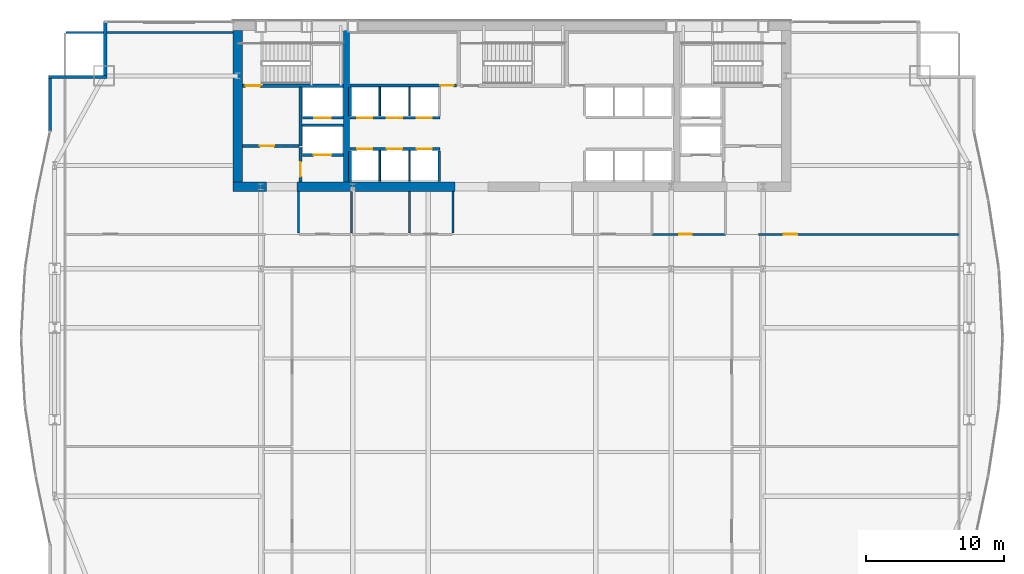
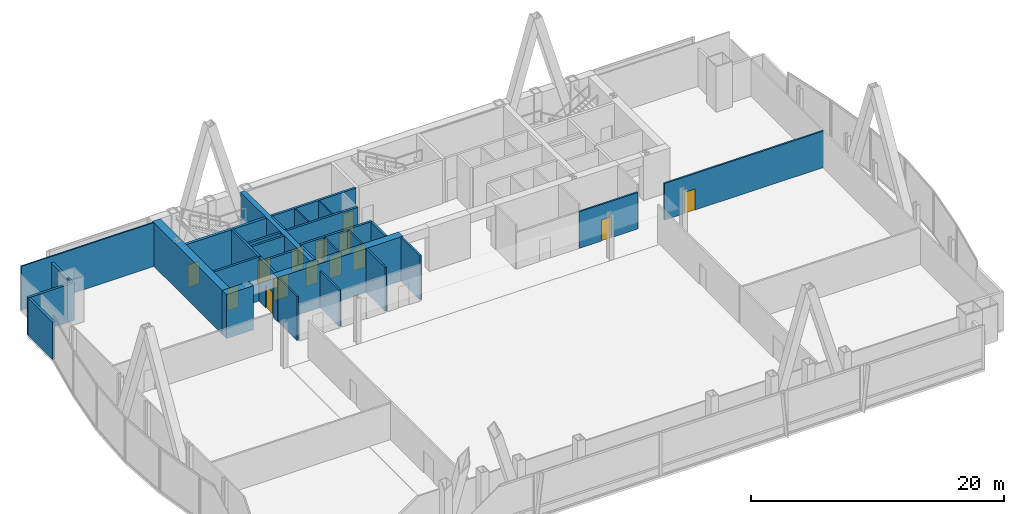
# One storey, part 28 of 32: 31 walls, 14 doors, 14 openings.
"""IFC4 building model written with IfcOpenShell, lengths in metres."""

import ifcopenshell
import ifcopenshell.guid

model = None  # the IFC model being written
_history = None  # IfcOwnerHistory: only IFC2X3 demands one
_inside = {}  # id of a spatial element -> (the spatial element, [elements in it])
_under = {}  # id of a project, library or spatial element -> (it, [spatial elements below it])
_declared = {}  # id of a project -> (the project, [libraries it declares])
_typed = {}  # id of a type object -> (the type object, [elements of that type])
_made_of = {}  # id of a material, layer set ... -> (it, [elements and type objects made of it])


def new_model(schema):
    """Start an empty IFC model of exactly this schema.

    Asked for "IFC4X3", IfcOpenShell would pick the latest addendum, in which some entities
    have other attributes; the version numbers below select the first issue.
    IFC2X3 requires an IfcOwnerHistory on every rooted entity: one is made here for all.
    """
    global model, _history
    if schema == "IFC4X3":
        model = ifcopenshell.file(schema_version=(4, 3, 0, 0))
    else:
        model = ifcopenshell.file(schema=schema)
    _inside.clear()
    _under.clear()
    _declared.clear()
    _typed.clear()
    _made_of.clear()
    _history = None
    if model.schema == "IFC2X3":
        org = make("IfcOrganization", Name="unknown")
        user = make(
            "IfcPersonAndOrganization",
            ThePerson=make("IfcPerson", FamilyName="unknown"),
            TheOrganization=org,
        )
        app = make(
            "IfcApplication",
            ApplicationDeveloper=org,
            Version="unknown",
            ApplicationFullName="unknown",
            ApplicationIdentifier="unknown",
        )
        _history = make(
            "IfcOwnerHistory",
            OwningUser=user,
            OwningApplication=app,
            ChangeAction="ADDED",
            CreationDate=0,
        )
    return model


def make(cls, **values):
    """One entity of the class cls with the attributes given. An attribute that is None is left unset."""
    return model.create_entity(
        cls, **{name: value for name, value in values.items() if value is not None}
    )


def rooted(cls, **values):
    """An entity with a GlobalId (a new one), such as an element, a storey or a relation."""
    return make(cls, GlobalId=ifcopenshell.guid.new(), OwnerHistory=_history, **values)


def si_unit(unit_type, name, prefix=None):
    """IfcSIUnit, for example si_unit("LENGTHUNIT", "METRE", prefix="MILLI")."""
    return make("IfcSIUnit", UnitType=unit_type, Prefix=prefix, Name=name)


def assignment(units):
    """IfcUnitAssignment: the units of a project."""
    return None if units is None else make("IfcUnitAssignment", Units=units)


def point(xyz):
    """IfcCartesianPoint."""
    return None if xyz is None else make("IfcCartesianPoint", Coordinates=xyz)


def direction(xyz):
    """IfcDirection."""
    return None if xyz is None else make("IfcDirection", DirectionRatios=xyz)


def frame(location, z_axis=None, x_axis=None):
    """IfcAxis2Placement3D, a coordinate frame: its origin and axes. An axis left out is left unset."""
    return make(
        "IfcAxis2Placement3D",
        Location=point(location),
        Axis=direction(z_axis),
        RefDirection=direction(x_axis),
    )


def frame_2d(location, x_axis=None):
    """IfcAxis2Placement2D, a coordinate frame in the plane: its origin and x axis."""
    return make(
        "IfcAxis2Placement2D", Location=point(location), RefDirection=direction(x_axis)
    )


def origin():
    """The frame at (0, 0, 0) with its axes left unset."""
    return frame((0.0, 0.0, 0.0))


def place(relative_to, where):
    """IfcLocalPlacement: puts the frame where relative to a parent placement (None: the world)."""
    return make(
        "IfcLocalPlacement", PlacementRelTo=relative_to, RelativePlacement=where
    )


def context(
    kind, dimensions, precision=None, world=None, true_north=None, identifier=None
):
    """IfcGeometricRepresentationContext, for example the 3D "Model" context."""
    return make(
        "IfcGeometricRepresentationContext",
        ContextIdentifier=identifier,
        ContextType=kind,
        CoordinateSpaceDimension=dimensions,
        Precision=precision,
        WorldCoordinateSystem=world,
        TrueNorth=true_north,
    )


def subcontext(parent, identifier, kind, view, scale=None):
    """IfcGeometricRepresentationSubContext, for example "Body" below "Model"."""
    return make(
        "IfcGeometricRepresentationSubContext",
        ContextIdentifier=identifier,
        ContextType=kind,
        ParentContext=parent,
        TargetScale=scale,
        TargetView=view,
    )


def project(units=None, contexts=None):
    """IfcProject with its units and contexts."""
    return rooted(
        "IfcProject",
        Name="project",
        RepresentationContexts=contexts,
        UnitsInContext=assignment(units),
    )


def spatial(cls, under=None, at=None, **own):
    """A site, building, storey or space (cls), placed at a placement, below another one or the project."""
    s = rooted(cls, ObjectPlacement=at, **own)
    if under is not None:
        _under.setdefault(under.id(), (under, []))[1].append(s)
    return s


def profile(cls, at=None, kind="AREA", **sizes):
    """A parametric profile (cls). Its sizes go by their IFC names, for example OverallWidth=200.0."""
    return make(cls, ProfileType=kind, Position=at, **sizes)


def rectangle(**sizes):
    """IfcRectangleProfileDef."""
    return profile("IfcRectangleProfileDef", **sizes)


def extrude(swept, where, along, depth):
    """IfcExtrudedAreaSolid: the profile swept, set in the frame where, extruded along a direction by depth."""
    return make(
        "IfcExtrudedAreaSolid",
        SweptArea=swept,
        Position=where,
        ExtrudedDirection=direction(along),
        Depth=depth,
    )


def shape(context_of_items, identifier, shape_type, items):
    """IfcShapeRepresentation: the items that make up one representation, for example the "Body"."""
    return make(
        "IfcShapeRepresentation",
        ContextOfItems=context_of_items,
        RepresentationIdentifier=identifier,
        RepresentationType=shape_type,
        Items=items,
    )


def material(Name=None, Category=None):
    """IfcMaterial."""
    return make("IfcMaterial", Name=Name, Category=Category)


def layer(
    of_material, thickness, ventilated=None, Name=None, Category=None, Priority=None
):
    """IfcMaterialLayer: one layer of a wall or slab, of a material (None: an air gap)."""
    return make(
        "IfcMaterialLayer",
        Material=of_material,
        LayerThickness=thickness,
        IsVentilated=ventilated,
        Name=Name,
        Category=Category,
        Priority=Priority,
    )


def layer_set(layers, Name=None):
    """IfcMaterialLayerSet."""
    return make("IfcMaterialLayerSet", MaterialLayers=layers, LayerSetName=Name)


def made_of(thing, what):
    """Note that an element or type object is made of a material, layer set ...; save() writes the relation."""
    if what is not None:
        _made_of.setdefault(what.id(), (what, []))[1].append(thing)
    return thing


def type_object(cls, material=None, **own):
    """A type object (cls), such as IfcWallType, which elements share."""
    return made_of(rooted(cls, **own), material)


def element(
    cls,
    number,
    at=None,
    inside=None,
    cuts=None,
    type_object=None,
    material=None,
    context=None,
    identifier="Body",
    shape_type=None,
    held_by="IfcProductDefinitionShape",
    body=None,
    shapes=None,
    **own,
):
    """One element of the class cls, such as IfcWall. Its Tag is "e" and its number.

    at: its placement. inside: the storey or other place that contains it. cuts: it is an
    opening in that element (IfcRelVoidsElement). A single representation is given by context,
    identifier, shape_type and body (its items); several are given by shapes. held_by: the class
    of the entity that holds the representations. save() writes the other relations.
    """
    e = rooted(cls, Tag="e%d" % number, ObjectPlacement=at, **own)
    if body is not None:
        shapes = [shape(context, identifier, shape_type, body)]
    if shapes is not None:
        e.Representation = make(held_by, Representations=shapes)
    if inside is not None:
        _inside.setdefault(inside.id(), (inside, []))[1].append(e)
    if cuts is not None:
        rooted(
            "IfcRelVoidsElement", RelatingBuildingElement=cuts, RelatedOpeningElement=e
        )
    if type_object is not None:
        _typed.setdefault(type_object.id(), (type_object, []))[1].append(e)
    return made_of(e, material)


def fill(opening, filler):
    """IfcRelFillsElement: the door or window that sits in an opening."""
    return rooted(
        "IfcRelFillsElement",
        RelatingOpeningElement=opening,
        RelatedBuildingElement=filler,
    )


def aggregate(whole, parts):
    """IfcRelAggregates: a whole, such as a stair, and the parts it consists of."""
    return rooted("IfcRelAggregates", RelatingObject=whole, RelatedObjects=parts)


def save(model, path):
    """Write the relations noted so far, then the file.

    IfcRelAggregates (storeys below a building ...), IfcRelContainedInSpatialStructure (elements
    in a storey), IfcRelDefinesByType, IfcRelAssociatesMaterial and IfcRelDeclares: one each for
    every whole, place, type object, material and project.
    """
    for whole, parts in _under.values():
        aggregate(whole, parts)
    for where, things in _inside.values():
        rooted(
            "IfcRelContainedInSpatialStructure",
            RelatedElements=things,
            RelatingStructure=where,
        )
    for kind, things in _typed.values():
        rooted("IfcRelDefinesByType", RelatedObjects=things, RelatingType=kind)
    for what, things in _made_of.values():
        rooted("IfcRelAssociatesMaterial", RelatedObjects=things, RelatingMaterial=what)
    for by, libraries in _declared.values():
        rooted("IfcRelDeclares", RelatingContext=by, RelatedDefinitions=libraries)
    model.write(path)


model = new_model("IFC4")

# Units and contexts
model_context = context("Model", 3, precision=1e-05, world=origin(), true_north=direction((0.0, 1.0)))
body_context = subcontext(model_context, "Body", "Model", "MODEL_VIEW")
ifc_project = project(units=[si_unit("LENGTHUNIT", "METRE"), si_unit("AREAUNIT", "SQUARE_METRE"), si_unit("VOLUMEUNIT", "CUBIC_METRE"), si_unit("PLANEANGLEUNIT", "RADIAN"), si_unit("MASSUNIT", "GRAM", prefix="KILO")], contexts=[model_context])

# Site, building, storey
site_placement = place(None, origin())
site = spatial("IfcSite", under=ifc_project, at=site_placement, CompositionType="ELEMENT")
building_placement = place(site_placement, origin())
building = spatial("IfcBuilding", under=site, at=building_placement, Name="Khoronbel Lancet Exchange", CompositionType="ELEMENT")
storey_placement = place(building_placement, frame((0.0, 0.0, 106.60009765625)))
storey = spatial("IfcBuildingStorey", under=building, at=storey_placement, Name="L25", CompositionType="ELEMENT", Elevation=106.60009765625)

# Walls
ifc_material_1 = material(Name="Concrete C80/95", Category="concrete")
ifc_layer_1 = layer(ifc_material_1, 0.699951171875, Name="Concrete C80/95")
ifc_layer_set_1 = layer_set([ifc_layer_1], Name="Concrete C80/95")
wall_type_1 = type_object("IfcWallType", Name="WL-CW2", PredefinedType="SHEAR", material=ifc_layer_set_1)
wall_1_placement = place(storey_placement, frame((16.550048828125, 42.0, 0.0), z_axis=(0.0, 0.0, 1.0), x_axis=(0.0, 1.0, 0.0)))
element("IfcWall", 1, at=wall_1_placement, inside=storey, type_object=wall_type_1, Name="Level L25 rear core west shear wall", PredefinedType="SHEAR", context=body_context, shape_type="SweptSolid", body=[
    extrude(rectangle(XDim=11.0, YDim=0.699951171875, at=frame_2d((5.5, 0.0))), origin(), (0.0, 0.0, 1.0), 4.239990234375),
])
wall_2_placement = place(storey_placement, frame((18.64990234375, 41.64990234375, 0.0), z_axis=(0.0, 0.0, 1.0), x_axis=(-1.0, 0.0, 0.0)))
element("IfcWall", 2, at=wall_2_placement, inside=storey, type_object=wall_type_1, Name="Level L25 rear core south shear wall pier P1", PredefinedType="SHEAR", context=body_context, shape_type="SweptSolid", body=[
    extrude(rectangle(XDim=2.449951171875, YDim=0.699951171875, at=frame_2d((1.22509765625, 0.0))), origin(), (0.0, 0.0, 1.0), 4.239990234375),
])
wall_3_placement = place(storey_placement, frame((32.300048828125, 41.64990234375, 0.0), z_axis=(0.0, 0.0, 1.0), x_axis=(-1.0, 0.0, 0.0)))
element("IfcWall", 3, at=wall_3_placement, inside=storey, type_object=wall_type_1, Name="Level L25 rear core south shear wall pier P2", PredefinedType="SHEAR", context=body_context, shape_type="SweptSolid", body=[
    extrude(rectangle(XDim=11.449951171875, YDim=0.699951171875, at=frame_2d((5.72509765625, 0.0))), origin(), (0.0, 0.0, 1.0), 4.239990234375),
])
ifc_material_2 = material(Name="Precast concrete C40/50", Category="concrete")
ifc_layer_2 = layer(ifc_material_2, 0.25, Name="Precast concrete C40/50")
ifc_layer_set_2 = layer_set([ifc_layer_2], Name="Precast concrete C40/50")
wall_type_2 = type_object("IfcWallType", Name="WL-EXT250", PredefinedType="SOLIDWALL", material=ifc_layer_set_2)
wall_4_placement = place(storey_placement, frame((2.93994140625, 45.670654296875, 0.0), z_axis=(0.0, 0.0, 1.0), x_axis=(0.0, 1.0, 0.0)))
element("IfcWall", 4, at=wall_4_placement, inside=storey, type_object=wall_type_2, Name="Level L25 notched-corner limestone pier 10", PredefinedType="SOLIDWALL", context=body_context, shape_type="SweptSolid", body=[
    extrude(rectangle(XDim=3.829345703125, YDim=0.219970703125, at=frame_2d((1.91455078125, 0.0))), origin(), (0.0, 0.0, 1.0), 3.6298828125),
])
wall_5_placement = place(storey_placement, frame((2.830078125, 49.610107421875, 0.0), z_axis=(0.0, 0.0, 1.0), x_axis=(1.0, 0.0, 0.0)))
element("IfcWall", 5, at=wall_5_placement, inside=storey, type_object=wall_type_2, Name="Level L25 notched-corner limestone pier 11", PredefinedType="SOLIDWALL", context=body_context, shape_type="SweptSolid", body=[
    extrude(rectangle(XDim=4.219970703125, YDim=0.219970703125, at=frame_2d((2.10986328125, 0.0))), origin(), (0.0, 0.0, 1.0), 3.6298828125),
])
wall_6_placement = place(storey_placement, frame((6.93994140625, 49.719970703125, 0.0), z_axis=(0.0, 0.0, 1.0), x_axis=(0.0, 1.0, 0.0)))
element("IfcWall", 6, at=wall_6_placement, inside=storey, type_object=wall_type_2, Name="Level L25 notched-corner limestone pier 12", PredefinedType="SOLIDWALL", context=body_context, shape_type="SweptSolid", body=[
    extrude(rectangle(XDim=3.909912109375, YDim=0.219970703125, at=frame_2d((1.955078125, 0.0))), origin(), (0.0, 0.0, 1.0), 3.6298828125),
])
ifc_material_3 = material(Name="Acoustic Metal-Stud & Mineral-Wool Gypsum Partition 120 mm", Category="gypsum")
ifc_layer_3 = layer(ifc_material_3, 0.1201171875, Name="Acoustic Metal-Stud & Mineral-Wool Gypsum Partition 120 mm")
ifc_layer_set_3 = layer_set([ifc_layer_3], Name="Acoustic Metal-Stud & Mineral-Wool Gypsum Partition 120 mm")
wall_type_3 = type_object("IfcWallType", Name="WL-PRT120", PredefinedType="PARTITIONING", material=ifc_layer_set_3)
wall_7_placement = place(storey_placement, frame((20.949951171875, 38.280029296875, 0.0), z_axis=(0.0, 0.0, 1.0), x_axis=(0.0, 1.0, 0.0)))
element("IfcWall", 7, at=wall_7_placement, inside=storey, type_object=wall_type_3, Name="Level L25 interior partition PW-SL-WC0", PredefinedType="PARTITIONING", context=body_context, shape_type="SweptSolid", body=[
    extrude(rectangle(XDim=3.02001953125, YDim=0.14990234375, at=frame_2d((1.510009765625, 0.0))), origin(), (0.0, 0.0, 1.0), 4.239990234375),
])
wall_8_placement = place(storey_placement, frame((24.800048828125, 38.280029296875, 0.0), z_axis=(0.0, 0.0, 1.0), x_axis=(0.0, 1.0, 0.0)))
element("IfcWall", 8, at=wall_8_placement, inside=storey, type_object=wall_type_3, Name="Level L25 interior partition PW-SL-WC1", PredefinedType="PARTITIONING", context=body_context, shape_type="SweptSolid", body=[
    extrude(rectangle(XDim=3.02001953125, YDim=0.14990234375, at=frame_2d((1.510009765625, 0.0))), origin(), (0.0, 0.0, 1.0), 3.52978515625),
])
for number, where, z_axis, x_axis, name in (
    (9, (29.0, 38.280029296875, 0.0), (0.0, 0.0, 1.0), (0.0, 1.0, 0.0), "Level L25 interior partition PW-SL-WC2"),
    (10, (32.179931640625, 38.280029296875, 0.0), (0.0, 0.0, 1.0), (0.0, 1.0, 0.0), "Level L25 interior partition PW-SL-WC3"),
):
    element("IfcWall", number, at=place(storey_placement, frame(where, z_axis=z_axis, x_axis=x_axis)), inside=storey, type_object=wall_type_3, Name=name, PredefinedType="PARTITIONING", context=body_context, shape_type="SweptSolid", body=[
        extrude(rectangle(XDim=3.02001953125, YDim=0.14990234375, at=frame_2d((1.510009765625, 0.0))), origin(), (0.0, 0.0, 1.0), 4.239990234375),
    ])
wall_9_placement = place(storey_placement, frame((4.094970703125, 52.840087890625, 0.0), z_axis=(0.0, 0.0, 1.0), x_axis=(1.0, 0.0, 0.0)))
element("IfcWall", 11, at=wall_9_placement, inside=storey, type_object=wall_type_3, Name="Level L25 interior partition PW-LIN-NW", PredefinedType="PARTITIONING", context=body_context, shape_type="SweptSolid", body=[
    extrude(rectangle(XDim=12.10498046875, YDim=0.1201171875, at=frame_2d((6.052490234375, 0.0))), origin(), (0.0, 0.0, 1.0), 4.239990234375),
])
ifc_material_4 = material(Name="Fire-Rated Metal-Stud & Mineral-Wool Gypsum Partition 120 mm", Category="gypsum")
ifc_layer_4 = layer(ifc_material_4, 0.1201171875, Name="Fire-Rated Metal-Stud & Mineral-Wool Gypsum Partition 120 mm")
ifc_layer_set_4 = layer_set([ifc_layer_4], Name="Fire-Rated Metal-Stud & Mineral-Wool Gypsum Partition 120 mm")
wall_type_4 = type_object("IfcWallType", Name="WL-PRT120F", PredefinedType="PARTITIONING", material=ifc_layer_set_4)
for number, where, z_axis, x_axis, name in (
    (12, (26.860107421875, 46.800048828125, 0.0), (0.0, 0.0, 1.0), (0.0, 1.0, 0.0), "Level L25 interior partition CW-PL-D1"),
    (13, (29.02001953125, 46.800048828125, 0.0), (0.0, 0.0, 1.0), (0.0, 1.0, 0.0), "Level L25 interior partition CW-PL-D2"),
):
    element("IfcWall", number, at=place(storey_placement, frame(where, z_axis=z_axis, x_axis=x_axis)), inside=storey, type_object=wall_type_4, Name=name, PredefinedType="PARTITIONING", context=body_context, shape_type="SweptSolid", body=[
        extrude(rectangle(XDim=2.094970703125, YDim=0.1201171875, at=frame_2d((1.04736328125, 0.0))), origin(), (0.0, 0.0, 1.0), 4.239990234375),
    ])
for number, where, z_axis, x_axis, name in (
    (14, (26.860107421875, 42.050048828125, 0.0), (0.0, 0.0, 1.0), (0.0, 1.0, 0.0), "Level L25 interior partition CW-PM-D1"),
    (15, (29.02001953125, 42.050048828125, 0.0), (0.0, 0.0, 1.0), (0.0, 1.0, 0.0), "Level L25 interior partition CW-PM-D2"),
):
    element("IfcWall", number, at=place(storey_placement, frame(where, z_axis=z_axis, x_axis=x_axis)), inside=storey, type_object=wall_type_4, Name=name, PredefinedType="PARTITIONING", context=body_context, shape_type="SweptSolid", body=[
        extrude(rectangle(XDim=2.199951171875, YDim=0.1201171875, at=frame_2d((1.10009765625, 0.0))), origin(), (0.0, 0.0, 1.0), 4.239990234375),
    ])

# Wall, opening, door
ifc_material_5 = material(Name="Fire-Rated Twin-Stud Acoustic Gypsum Partition 150 mm", Category="gypsum")
ifc_layer_5 = layer(ifc_material_5, 0.14990234375, Name="Fire-Rated Twin-Stud Acoustic Gypsum Partition 150 mm")
ifc_layer_set_5 = layer_set([ifc_layer_5], Name="Fire-Rated Twin-Stud Acoustic Gypsum Partition 150 mm")
wall_type_5 = type_object("IfcWallType", Name="WL-PRT150C", PredefinedType="PARTITIONING", material=ifc_layer_set_5)
wall_10_placement = place(storey_placement, frame((46.60009765625, 38.199951171875, 0.0), z_axis=(0.0, 0.0, 1.0), x_axis=(1.0, 0.0, 0.0)))
wall_10 = element("IfcWall", 16, at=wall_10_placement, inside=storey, type_object=wall_type_5, Name="Level L25 interior partition PW-SL-NPS2", PredefinedType="PARTITIONING", context=body_context, shape_type="SweptSolid", body=[
    extrude(rectangle(XDim=5.349853515625, YDim=0.14990234375, at=frame_2d((2.6748046875, 0.0))), origin(), (0.0, 0.0, 1.0), 3.52978515625),
])
opening_1_placement = place(wall_10_placement, frame((2.0, 0.0, 0.0)))
opening_1 = element("IfcOpeningElement", 17, at=opening_1_placement, cuts=wall_10, Name="Opening FD4", PredefinedType="OPENING", context=body_context, shape_type="SweptSolid", body=[
    extrude(rectangle(XDim=0.89990234375, YDim=2.050048828125, at=frame_2d((0.449951171875, 1.02490234375))), frame((0.0, 0.0849609375, 0.0), z_axis=(0.0, -1.0, 0.0), x_axis=(1.0, 0.0, 0.0)), (0.0, 0.0, 1.0), 0.169921875),
])
ifc_material_6 = material(Name="Fire-Rated Steel Core Support Door Assembly", Category="steel")
door_type_1 = type_object("IfcDoorType", Name="DR-FD4", OperationType="NOTDEFINED", PredefinedType="DOOR", material=ifc_material_6)
door_1_placement = place(opening_1_placement, origin())
door_1 = element("IfcDoor", 18, at=door_1_placement, inside=storey, type_object=door_type_1, Name="Sky-lobby catering kitchen door L25-1", OperationType="SINGLE_SWING_RIGHT", OverallHeight=2.050048828125, OverallWidth=0.89990234375, PredefinedType="DOOR", context=body_context, shape_type="SweptSolid", body=[
    extrude(rectangle(XDim=0.89990234375, YDim=2.050048828125, at=frame_2d((0.449951171875, 1.02490234375))), frame((0.0, 0.02490234375, 0.0), z_axis=(0.0, -1.0, 0.0), x_axis=(1.0, 0.0, 0.0)), (0.0, 0.0, 1.0), 0.050048828125),
])
fill(opening_1, door_1)

wall_11_placement = place(storey_placement, frame((54.35009765625, 38.199951171875, 0.0), z_axis=(0.0, 0.0, 1.0), x_axis=(1.0, 0.0, 0.0)))
wall_11 = element("IfcWall", 19, at=wall_11_placement, inside=storey, type_object=wall_type_5, Name="Level L25 interior partition PW-SL-N4", PredefinedType="PARTITIONING", context=body_context, shape_type="SweptSolid", body=[
    extrude(rectangle(XDim=14.52001953125, YDim=0.14990234375, at=frame_2d((7.260009765625, 0.0))), origin(), (0.0, 0.0, 1.0), 3.52978515625),
])
opening_2_placement = place(wall_11_placement, frame((1.800048828125, 0.0, 0.0)))
opening_2 = element("IfcOpeningElement", 20, at=opening_2_placement, cuts=wall_11, Name="Opening D2", PredefinedType="OPENING", context=body_context, shape_type="SweptSolid", body=[
    extrude(rectangle(XDim=1.0, YDim=2.050048828125, at=frame_2d((0.5, 1.02490234375))), frame((0.0, 0.0849609375, 0.0), z_axis=(0.0, -1.0, 0.0), x_axis=(1.0, 0.0, 0.0)), (0.0, 0.0, 1.0), 0.169921875),
])
ifc_material_7 = material(Name="Acoustic Veneered Timber & Bronze Frame Door", Category="wood")
door_type_2 = type_object("IfcDoorType", Name="DR-D2", OperationType="NOTDEFINED", PredefinedType="DOOR", material=ifc_material_7)
door_2_placement = place(opening_2_placement, origin())
door_2 = element("IfcDoor", 21, at=door_2_placement, inside=storey, type_object=door_type_2, Name="NE VIP reception door L25-1", OperationType="SINGLE_SWING_RIGHT", OverallHeight=2.050048828125, OverallWidth=1.0, PredefinedType="DOOR", context=body_context, shape_type="SweptSolid", body=[
    extrude(rectangle(XDim=1.0, YDim=2.050048828125, at=frame_2d((0.5, 1.02490234375))), frame((0.0, 0.02490234375, 0.0), z_axis=(0.0, -1.0, 0.0), x_axis=(1.0, 0.0, 0.0)), (0.0, 0.0, 1.0), 0.050048828125),
])
fill(opening_2, door_2)

# Wall, openings, doors
ifc_material_8 = material(Name="Autoclaved Aerated Concrete Blockwork 200 mm", Category="masonry")
ifc_layer_6 = layer(ifc_material_8, 0.199951171875, Name="Autoclaved Aerated Concrete Blockwork 200 mm")
ifc_layer_set_6 = layer_set([ifc_layer_6], Name="Autoclaved Aerated Concrete Blockwork 200 mm")
wall_type_6 = type_object("IfcWallType", Name="WL-PRT200", PredefinedType="PARTITIONING", material=ifc_layer_set_6)
wall_12_placement = place(storey_placement, frame((24.68994140625, 44.39990234375, 0.0), z_axis=(0.0, 0.0, 1.0), x_axis=(1.0, 0.0, 0.0)))
wall_12 = element("IfcWall", 22, at=wall_12_placement, inside=storey, type_object=wall_type_6, Name="Level L25 elevator hoistway landing front wall PMW", PredefinedType="PARTITIONING", context=body_context, shape_type="SweptSolid", body=[
    extrude(rectangle(XDim=6.530029296875, YDim=0.199951171875, at=frame_2d((3.26513671875, 0.0))), origin(), (0.0, 0.0, 1.0), 4.239990234375),
])
opening_3_placement = place(wall_12_placement, frame((0.530029296875, 0.0, 0.0)))
opening_3 = element("IfcOpeningElement", 23, at=opening_3_placement, cuts=wall_12, Name="Opening LD-PM1", PredefinedType="OPENING", context=body_context, shape_type="SweptSolid", body=[
    extrude(rectangle(XDim=1.10009765625, YDim=2.179931640625, at=frame_2d((0.550048828125, 1.08984375))), frame((0.0, 0.10986328125, 0.0), z_axis=(0.0, -1.0, 0.0), x_axis=(1.0, 0.0, 0.0)), (0.0, 0.0, 1.0), 0.219970703125),
])
opening_4_placement = place(wall_12_placement, frame((2.68994140625, 0.0, 0.0)))
opening_4 = element("IfcOpeningElement", 24, at=opening_4_placement, cuts=wall_12, Name="Opening LD-PM2", PredefinedType="OPENING", context=body_context, shape_type="SweptSolid", body=[
    extrude(rectangle(XDim=1.10009765625, YDim=2.179931640625, at=frame_2d((0.550048828125, 1.08984375))), frame((0.0, 0.10986328125, 0.0), z_axis=(0.0, -1.0, 0.0), x_axis=(1.0, 0.0, 0.0)), (0.0, 0.0, 1.0), 0.219970703125),
])
opening_5_placement = place(wall_12_placement, frame((4.85009765625, 0.0, 0.0)))
opening_5 = element("IfcOpeningElement", 25, at=opening_5_placement, cuts=wall_12, Name="Opening LD-PM3", PredefinedType="OPENING", context=body_context, shape_type="SweptSolid", body=[
    extrude(rectangle(XDim=1.10009765625, YDim=2.179931640625, at=frame_2d((0.550048828125, 1.08984375))), frame((0.0, 0.10986328125, 0.0), z_axis=(0.0, -1.0, 0.0), x_axis=(1.0, 0.0, 0.0)), (0.0, 0.0, 1.0), 0.219970703125),
])
ifc_material_9 = material(Name="Brushed Bronze Bi-Parting Elevator Landing Door", Category="steel")
door_type_3 = type_object("IfcDoorType", Name="DR-LD-PAX", OperationType="NOTDEFINED", PredefinedType="DOOR", material=ifc_material_9)
door_3_placement = place(opening_3_placement, origin())
door_3 = element("IfcDoor", 26, at=door_3_placement, inside=storey, type_object=door_type_3, Name="Elevator landing sliding door LD-PM1 L25", OperationType="SLIDING_TO_LEFT", OverallHeight=2.179931640625, OverallWidth=1.10009765625, PredefinedType="DOOR", context=body_context, shape_type="SweptSolid", body=[
    extrude(rectangle(XDim=1.10009765625, YDim=2.179931640625, at=frame_2d((0.550048828125, 1.08984375))), frame((0.0, 0.02490234375, 0.0), z_axis=(0.0, -1.0, 0.0), x_axis=(1.0, 0.0, 0.0)), (0.0, 0.0, 1.0), 0.050048828125),
])
fill(opening_3, door_3)
door_4_placement = place(opening_4_placement, origin())
door_4 = element("IfcDoor", 27, at=door_4_placement, inside=storey, type_object=door_type_3, Name="Elevator landing sliding door LD-PM2 L25", OperationType="SLIDING_TO_LEFT", OverallHeight=2.179931640625, OverallWidth=1.10009765625, PredefinedType="DOOR", context=body_context, shape_type="SweptSolid", body=[
    extrude(rectangle(XDim=1.10009765625, YDim=2.179931640625, at=frame_2d((0.550048828125, 1.08984375))), frame((0.0, 0.02490234375, 0.0), z_axis=(0.0, -1.0, 0.0), x_axis=(1.0, 0.0, 0.0)), (0.0, 0.0, 1.0), 0.050048828125),
])
fill(opening_4, door_4)
door_5_placement = place(opening_5_placement, origin())
door_5 = element("IfcDoor", 28, at=door_5_placement, inside=storey, type_object=door_type_3, Name="Elevator landing sliding door LD-PM3 L25", OperationType="SLIDING_TO_LEFT", OverallHeight=2.179931640625, OverallWidth=1.10009765625, PredefinedType="DOOR", context=body_context, shape_type="SweptSolid", body=[
    extrude(rectangle(XDim=1.10009765625, YDim=2.179931640625, at=frame_2d((0.550048828125, 1.08984375))), frame((0.0, 0.02490234375, 0.0), z_axis=(0.0, -1.0, 0.0), x_axis=(1.0, 0.0, 0.0)), (0.0, 0.0, 1.0), 0.050048828125),
])
fill(opening_5, door_5)

# Wall, opening, door
wall_13_placement = place(storey_placement, frame((24.2099609375, 43.949951171875, 0.0), z_axis=(0.0, 0.0, 1.0), x_axis=(-1.0, 0.0, 0.0)))
wall_13 = element("IfcWall", 29, at=wall_13_placement, inside=storey, type_object=wall_type_6, Name="Level L25 elevator hoistway landing front wall SVLW", PredefinedType="PARTITIONING", context=body_context, shape_type="SweptSolid", body=[
    extrude(rectangle(XDim=2.969970703125, YDim=0.199951171875, at=frame_2d((1.48486328125, 0.0))), origin(), (0.0, 0.0, 1.0), 4.239990234375),
])
opening_6_placement = place(wall_13_placement, frame((0.860107421875, 0.0, 0.0)))
opening_6 = element("IfcOpeningElement", 30, at=opening_6_placement, cuts=wall_13, Name="Opening LD-SVL1", PredefinedType="OPENING", context=body_context, shape_type="SweptSolid", body=[
    extrude(rectangle(XDim=1.300048828125, YDim=2.179931640625, at=frame_2d((0.64990234375, 1.08984375))), frame((0.0, 0.10986328125, 0.0), z_axis=(0.0, -1.0, 0.0), x_axis=(1.0, 0.0, 0.0)), (0.0, 0.0, 1.0), 0.219970703125),
])
ifc_material_10 = material(Name="Heavy-Duty Bi-Parting Goods Lift Landing Door", Category="steel")
door_type_4 = type_object("IfcDoorType", Name="DR-LD-SVL", OperationType="NOTDEFINED", PredefinedType="DOOR", material=ifc_material_10)
door_6_placement = place(opening_6_placement, origin())
door_6 = element("IfcDoor", 31, at=door_6_placement, inside=storey, type_object=door_type_4, Name="Elevator landing sliding door LD-SVL1 L25", OperationType="SLIDING_TO_LEFT", OverallHeight=2.179931640625, OverallWidth=1.300048828125, PredefinedType="DOOR", context=body_context, shape_type="SweptSolid", body=[
    extrude(rectangle(XDim=1.300048828125, YDim=2.179931640625, at=frame_2d((0.64990234375, 1.08984375))), frame((0.0, 0.02490234375, 0.0), z_axis=(0.0, -1.0, 0.0), x_axis=(1.0, 0.0, 0.0)), (0.0, 0.0, 1.0), 0.050048828125),
])
fill(opening_6, door_6)

wall_14_placement = place(storey_placement, frame((24.2099609375, 46.64990234375, 0.0), z_axis=(0.0, 0.0, 1.0), x_axis=(-1.0, 0.0, 0.0)))
wall_14 = element("IfcWall", 32, at=wall_14_placement, inside=storey, type_object=wall_type_6, Name="Level L25 elevator hoistway landing front wall FFLW", PredefinedType="PARTITIONING", context=body_context, shape_type="SweptSolid", body=[
    extrude(rectangle(XDim=2.969970703125, YDim=0.199951171875, at=frame_2d((1.48486328125, 0.0))), origin(), (0.0, 0.0, 1.0), 4.239990234375),
])
opening_7_placement = place(wall_14_placement, frame((0.909912109375, 0.0, 0.0)))
opening_7 = element("IfcOpeningElement", 33, at=opening_7_placement, cuts=wall_14, Name="Opening LD-FFL1", PredefinedType="OPENING", context=body_context, shape_type="SweptSolid", body=[
    extrude(rectangle(XDim=1.199951171875, YDim=2.179931640625, at=frame_2d((0.60009765625, 1.08984375))), frame((0.0, 0.10986328125, 0.0), z_axis=(0.0, -1.0, 0.0), x_axis=(1.0, 0.0, 0.0)), (0.0, 0.0, 1.0), 0.219970703125),
])
ifc_material_11 = material(Name="Fire-Rated Stainless Bi-Parting Firefighting Lift Door", Category="steel")
door_type_5 = type_object("IfcDoorType", Name="DR-LD-FFL", OperationType="NOTDEFINED", PredefinedType="DOOR", material=ifc_material_11)
door_7_placement = place(opening_7_placement, origin())
door_7 = element("IfcDoor", 34, at=door_7_placement, inside=storey, type_object=door_type_5, Name="Elevator landing sliding door LD-FFL1 L25", OperationType="SLIDING_TO_LEFT", OverallHeight=2.179931640625, OverallWidth=1.199951171875, PredefinedType="DOOR", context=body_context, shape_type="SweptSolid", body=[
    extrude(rectangle(XDim=1.199951171875, YDim=2.179931640625, at=frame_2d((0.60009765625, 1.08984375))), frame((0.0, 0.02490234375, 0.0), z_axis=(0.0, -1.0, 0.0), x_axis=(1.0, 0.0, 0.0)), (0.0, 0.0, 1.0), 0.050048828125),
])
fill(opening_7, door_7)

# Wall, openings, doors
wall_15_placement = place(storey_placement, frame((31.219970703125, 46.64990234375, 0.0), z_axis=(0.0, 0.0, 1.0), x_axis=(-1.0, 0.0, 0.0)))
wall_15 = element("IfcWall", 35, at=wall_15_placement, inside=storey, type_object=wall_type_6, Name="Level L25 elevator hoistway landing front wall PLW", PredefinedType="PARTITIONING", context=body_context, shape_type="SweptSolid", body=[
    extrude(rectangle(XDim=6.530029296875, YDim=0.199951171875, at=frame_2d((3.26513671875, 0.0))), origin(), (0.0, 0.0, 1.0), 4.239990234375),
])
opening_8_placement = place(wall_15_placement, frame((4.89990234375, 0.0, 0.0)))
opening_8 = element("IfcOpeningElement", 36, at=opening_8_placement, cuts=wall_15, Name="Opening LD-PL1", PredefinedType="OPENING", context=body_context, shape_type="SweptSolid", body=[
    extrude(rectangle(XDim=1.10009765625, YDim=2.179931640625, at=frame_2d((0.550048828125, 1.08984375))), frame((0.0, 0.10986328125, 0.0), z_axis=(0.0, -1.0, 0.0), x_axis=(1.0, 0.0, 0.0)), (0.0, 0.0, 1.0), 0.219970703125),
])
opening_9_placement = place(wall_15_placement, frame((2.739990234375, 0.0, 0.0)))
opening_9 = element("IfcOpeningElement", 37, at=opening_9_placement, cuts=wall_15, Name="Opening LD-PL2", PredefinedType="OPENING", context=body_context, shape_type="SweptSolid", body=[
    extrude(rectangle(XDim=1.10009765625, YDim=2.179931640625, at=frame_2d((0.550048828125, 1.08984375))), frame((0.0, 0.10986328125, 0.0), z_axis=(0.0, -1.0, 0.0), x_axis=(1.0, 0.0, 0.0)), (0.0, 0.0, 1.0), 0.219970703125),
])
opening_10_placement = place(wall_15_placement, frame((0.580078125, 0.0, 0.0)))
opening_10 = element("IfcOpeningElement", 38, at=opening_10_placement, cuts=wall_15, Name="Opening LD-PL3", PredefinedType="OPENING", context=body_context, shape_type="SweptSolid", body=[
    extrude(rectangle(XDim=1.10009765625, YDim=2.179931640625, at=frame_2d((0.550048828125, 1.08984375))), frame((0.0, 0.10986328125, 0.0), z_axis=(0.0, -1.0, 0.0), x_axis=(1.0, 0.0, 0.0)), (0.0, 0.0, 1.0), 0.219970703125),
])
door_8_placement = place(opening_8_placement, origin())
door_8 = element("IfcDoor", 39, at=door_8_placement, inside=storey, type_object=door_type_3, Name="Elevator landing sliding door LD-PL1 L25", OperationType="SLIDING_TO_LEFT", OverallHeight=2.179931640625, OverallWidth=1.10009765625, PredefinedType="DOOR", context=body_context, shape_type="SweptSolid", body=[
    extrude(rectangle(XDim=1.10009765625, YDim=2.179931640625, at=frame_2d((0.550048828125, 1.08984375))), frame((0.0, 0.02490234375, 0.0), z_axis=(0.0, -1.0, 0.0), x_axis=(1.0, 0.0, 0.0)), (0.0, 0.0, 1.0), 0.050048828125),
])
fill(opening_8, door_8)
door_9_placement = place(opening_9_placement, origin())
door_9 = element("IfcDoor", 40, at=door_9_placement, inside=storey, type_object=door_type_3, Name="Elevator landing sliding door LD-PL2 L25", OperationType="SLIDING_TO_LEFT", OverallHeight=2.179931640625, OverallWidth=1.10009765625, PredefinedType="DOOR", context=body_context, shape_type="SweptSolid", body=[
    extrude(rectangle(XDim=1.10009765625, YDim=2.179931640625, at=frame_2d((0.550048828125, 1.08984375))), frame((0.0, 0.02490234375, 0.0), z_axis=(0.0, -1.0, 0.0), x_axis=(1.0, 0.0, 0.0)), (0.0, 0.0, 1.0), 0.050048828125),
])
fill(opening_9, door_9)
door_10_placement = place(opening_10_placement, origin())
door_10 = element("IfcDoor", 41, at=door_10_placement, inside=storey, type_object=door_type_3, Name="Elevator landing sliding door LD-PL3 L25", OperationType="SLIDING_TO_LEFT", OverallHeight=2.179931640625, OverallWidth=1.10009765625, PredefinedType="DOOR", context=body_context, shape_type="SweptSolid", body=[
    extrude(rectangle(XDim=1.10009765625, YDim=2.179931640625, at=frame_2d((0.550048828125, 1.08984375))), frame((0.0, 0.02490234375, 0.0), z_axis=(0.0, -1.0, 0.0), x_axis=(1.0, 0.0, 0.0)), (0.0, 0.0, 1.0), 0.050048828125),
])
fill(opening_10, door_10)

# Wall
wall_16_placement = place(storey_placement, frame((21.10009765625, 44.60009765625, 0.0), z_axis=(0.0, 0.0, 1.0), x_axis=(0.0, 1.0, 0.0)))
element("IfcWall", 42, at=wall_16_placement, inside=storey, type_object=wall_type_6, Name="Level L25 interior partition CW-FFLW-E", PredefinedType="PARTITIONING", context=body_context, shape_type="SweptSolid", body=[
    extrude(rectangle(XDim=4.2998046875, YDim=0.199951171875, at=frame_2d((2.14990234375, 0.0))), origin(), (0.0, 0.0, 1.0), 4.239990234375),
])

# Wall, opening, door
wall_17_placement = place(storey_placement, frame((16.89990234375, 44.60009765625, 0.0), z_axis=(0.0, 0.0, 1.0), x_axis=(1.0, 0.0, 0.0)))
wall_17 = element("IfcWall", 43, at=wall_17_placement, inside=storey, type_object=wall_type_6, Name="Level L25 interior partition CW-FFLW-S", PredefinedType="PARTITIONING", context=body_context, shape_type="SweptSolid", body=[
    extrude(rectangle(XDim=4.10009765625, YDim=0.199951171875, at=frame_2d((2.050048828125, 0.0))), origin(), (0.0, 0.0, 1.0), 4.239990234375),
])
opening_11_placement = place(wall_17_placement, frame((1.25, 0.0, 0.0)))
opening_11 = element("IfcOpeningElement", 44, at=opening_11_placement, cuts=wall_17, Name="Opening FD1", PredefinedType="OPENING", context=body_context, shape_type="SweptSolid", body=[
    extrude(rectangle(XDim=1.050048828125, YDim=2.14990234375, at=frame_2d((0.52490234375, 1.074951171875))), frame((0.0, 0.10986328125, 0.0), z_axis=(0.0, -1.0, 0.0), x_axis=(1.0, 0.0, 0.0)), (0.0, 0.0, 1.0), 0.219970703125),
])
ifc_material_12 = material(Name="Fire-Rated Painted Steel Door Assembly", Category="steel")
door_type_6 = type_object("IfcDoorType", Name="DR-FD1", OperationType="NOTDEFINED", PredefinedType="DOOR", material=ifc_material_12)
door_11_placement = place(opening_11_placement, origin())
door_11 = element("IfcDoor", 45, at=door_11_placement, inside=storey, type_object=door_type_6, Name="West firefighting lobby FD90S door L25-1", OperationType="SINGLE_SWING_RIGHT", OverallHeight=2.14990234375, OverallWidth=1.050048828125, PredefinedType="DOOR", context=body_context, shape_type="SweptSolid", body=[
    extrude(rectangle(XDim=1.050048828125, YDim=2.14990234375, at=frame_2d((0.52490234375, 1.074951171875))), frame((0.0, 0.02490234375, 0.0), z_axis=(0.0, -1.0, 0.0), x_axis=(1.0, 0.0, 0.0)), (0.0, 0.0, 1.0), 0.050048828125),
])
fill(opening_11, door_11)

# Wall
wall_18_placement = place(storey_placement, frame((21.199951171875, 46.1201171875, 0.0), z_axis=(0.0, 0.0, 1.0), x_axis=(1.0, 0.0, 0.0)))
element("IfcWall", 46, at=wall_18_placement, inside=storey, type_object=wall_type_6, Name="Level L25 interior partition CW-FFL1-S", PredefinedType="PARTITIONING", context=body_context, shape_type="SweptSolid", body=[
    extrude(rectangle(XDim=3.02001953125, YDim=0.199951171875, at=frame_2d((1.510009765625, 0.0))), origin(), (0.0, 0.0, 1.0), 4.239990234375),
])

# Wall, opening, door
wall_19_placement = place(storey_placement, frame((21.10009765625, 42.0, 0.0), z_axis=(0.0, 0.0, 1.0), x_axis=(0.0, 1.0, 0.0)))
wall_19 = element("IfcWall", 47, at=wall_19_placement, inside=storey, type_object=wall_type_6, Name="Level L25 interior partition CW-SVLW-W", PredefinedType="PARTITIONING", context=body_context, shape_type="SweptSolid", body=[
    extrude(rectangle(XDim=2.4951171875, YDim=0.199951171875, at=frame_2d((1.24755859375, 0.0))), origin(), (0.0, 0.0, 1.0), 4.239990234375),
])
opening_12_placement = place(wall_19_placement, frame((0.3798828125, 0.0, 0.0)))
opening_12 = element("IfcOpeningElement", 48, at=opening_12_placement, cuts=wall_19, Name="Opening FD1", PredefinedType="OPENING", context=body_context, shape_type="SweptSolid", body=[
    extrude(rectangle(XDim=1.050048828125, YDim=2.14990234375, at=frame_2d((0.52490234375, 1.074951171875))), frame((0.0, 0.10986328125, 0.0), z_axis=(0.0, -1.0, 0.0), x_axis=(1.0, 0.0, 0.0)), (0.0, 0.0, 1.0), 0.219970703125),
])
door_12_placement = place(opening_12_placement, origin())
door_12 = element("IfcDoor", 49, at=door_12_placement, inside=storey, type_object=door_type_6, Name="West service lift lobby door L25-1", OperationType="SINGLE_SWING_LEFT", OverallHeight=2.14990234375, OverallWidth=1.050048828125, PredefinedType="DOOR", context=body_context, shape_type="SweptSolid", body=[
    extrude(rectangle(XDim=1.050048828125, YDim=2.14990234375, at=frame_2d((0.52490234375, 1.074951171875))), frame((0.0, 0.02490234375, 0.0), z_axis=(0.0, -1.0, 0.0), x_axis=(1.0, 0.0, 0.0)), (0.0, 0.0, 1.0), 0.050048828125),
])
fill(opening_12, door_12)

# Walls
wall_20_placement = place(storey_placement, frame((24.699951171875, 46.800048828125, 0.0), z_axis=(0.0, 0.0, 1.0), x_axis=(0.0, 1.0, 0.0)))
element("IfcWall", 50, at=wall_20_placement, inside=storey, type_object=wall_type_6, Name="Level L25 interior partition CW-PL-W", PredefinedType="PARTITIONING", context=body_context, shape_type="SweptSolid", body=[
    extrude(rectangle(XDim=2.094970703125, YDim=0.199951171875, at=frame_2d((1.04736328125, 0.0))), origin(), (0.0, 0.0, 1.0), 4.239990234375),
])
for number, where, z_axis, x_axis, name in (
    (51, (24.699951171875, 42.050048828125, 0.0), (0.0, 0.0, 1.0), (0.0, 1.0, 0.0), "Level L25 interior partition CW-PM-W"),
    (52, (31.179931640625, 42.050048828125, 0.0), (0.0, 0.0, 1.0), (0.0, 1.0, 0.0), "Level L25 interior partition CW-PM-E"),
):
    element("IfcWall", number, at=place(storey_placement, frame(where, z_axis=z_axis, x_axis=x_axis)), inside=storey, type_object=wall_type_6, Name=name, PredefinedType="PARTITIONING", context=body_context, shape_type="SweptSolid", body=[
        extrude(rectangle(XDim=2.199951171875, YDim=0.199951171875, at=frame_2d((1.10009765625, 0.0))), origin(), (0.0, 0.0, 1.0), 4.239990234375),
    ])

# Wall, opening, door
wall_21_placement = place(storey_placement, frame((24.699951171875, 49.0, 0.0), z_axis=(0.0, 0.0, 1.0), x_axis=(1.0, 0.0, 0.0)))
wall_21 = element("IfcWall", 53, at=wall_21_placement, inside=storey, type_object=wall_type_6, Name="Level L25 interior partition CW-SUP-NW-S", PredefinedType="PARTITIONING", context=body_context, shape_type="SweptSolid", body=[
    extrude(rectangle(XDim=7.719970703125, YDim=0.199951171875, at=frame_2d((3.85986328125, 0.0))), origin(), (0.0, 0.0, 1.0), 4.239990234375),
])
opening_13_placement = place(wall_21_placement, frame((6.56005859375, 0.0, 0.0)))
opening_13 = element("IfcOpeningElement", 54, at=opening_13_placement, cuts=wall_21, Name="Opening FD3", PredefinedType="OPENING", context=body_context, shape_type="SweptSolid", body=[
    extrude(rectangle(XDim=0.949951171875, YDim=2.10009765625, at=frame_2d((0.47509765625, 1.050048828125))), frame((0.0, 0.10986328125, 0.0), z_axis=(0.0, -1.0, 0.0), x_axis=(1.0, 0.0, 0.0)), (0.0, 0.0, 1.0), 0.219970703125),
])
ifc_material_13 = material(Name="Fire-Rated Steel Plant & Riser Door Assembly", Category="steel")
door_type_7 = type_object("IfcDoorType", Name="DR-FD3", OperationType="NOTDEFINED", PredefinedType="DOOR", material=ifc_material_13)
door_13_placement = place(opening_13_placement, origin())
door_13 = element("IfcDoor", 55, at=door_13_placement, inside=storey, type_object=door_type_7, Name="Core NW support room door L25-1", OperationType="SINGLE_SWING_RIGHT", OverallHeight=2.10009765625, OverallWidth=0.949951171875, PredefinedType="DOOR", context=body_context, shape_type="SweptSolid", body=[
    extrude(rectangle(XDim=0.949951171875, YDim=2.10009765625, at=frame_2d((0.47509765625, 1.050048828125))), frame((0.0, 0.02490234375, 0.0), z_axis=(0.0, -1.0, 0.0), x_axis=(1.0, 0.0, 0.0)), (0.0, 0.0, 1.0), 0.050048828125),
])
fill(opening_13, door_13)

# Wall
ifc_layer_7 = layer(ifc_material_1, 0.449951171875, Name="Concrete C80/95")
ifc_layer_set_7 = layer_set([ifc_layer_7], Name="Concrete C80/95")
wall_type_7 = type_object("IfcWallType", Name="WL-SW1", PredefinedType="SHEAR", material=ifc_layer_set_7)
wall_22_placement = place(storey_placement, frame((24.449951171875, 42.0, 0.0), z_axis=(0.0, 0.0, 1.0), x_axis=(0.0, 1.0, 0.0)))
element("IfcWall", 56, at=wall_22_placement, inside=storey, type_object=wall_type_7, Name="Level L25 rear core internal spine shear wall IW", PredefinedType="SHEAR", context=body_context, shape_type="SweptSolid", body=[
    extrude(rectangle(XDim=11.0, YDim=0.449951171875, at=frame_2d((5.5, 0.0))), origin(), (0.0, 0.0, 1.0), 4.239990234375),
])

# Wall, opening, door
ifc_material_14 = material(Name="Concrete C60/75", Category="concrete")
ifc_layer_8 = layer(ifc_material_14, 0.260009765625, Name="Concrete C60/75")
ifc_layer_set_8 = layer_set([ifc_layer_8], Name="Concrete C60/75")
wall_type_8 = type_object("IfcWallType", Name="WL-SW3", PredefinedType="SHEAR", material=ifc_layer_set_8)
wall_23_placement = place(storey_placement, frame((16.89990234375, 48.97998046875, 0.0), z_axis=(0.0, 0.0, 1.0), x_axis=(1.0, 0.0, 0.0)))
wall_23 = element("IfcWall", 57, at=wall_23_placement, inside=storey, type_object=wall_type_8, Name="Level L25 west stairwell structural south wall", PredefinedType="SHEAR", context=body_context, shape_type="SweptSolid", body=[
    extrude(rectangle(XDim=7.320068359375, YDim=0.239990234375, at=frame_2d((3.66015625, 0.0))), origin(), (0.0, 0.0, 1.0), 4.239990234375),
])
opening_14_placement = place(wall_23_placement, frame((0.219970703125, 0.0, 0.0)))
opening_14 = element("IfcOpeningElement", 58, at=opening_14_placement, cuts=wall_23, Name="Opening SD1", PredefinedType="OPENING", context=body_context, shape_type="SweptSolid", body=[
    extrude(rectangle(XDim=1.050048828125, YDim=2.14990234375, at=frame_2d((0.52490234375, 1.074951171875))), frame((0.0, 0.1298828125, 0.0), z_axis=(0.0, -1.0, 0.0), x_axis=(1.0, 0.0, 0.0)), (0.0, 0.0, 1.0), 0.260009765625),
])
ifc_material_15 = material(Name="Fire-Rated Steel Stairwell Door Assembly", Category="steel")
door_type_8 = type_object("IfcDoorType", Name="DR-SD1", OperationType="NOTDEFINED", PredefinedType="DOOR", material=ifc_material_15)
door_14_placement = place(opening_14_placement, origin())
door_14 = element("IfcDoor", 59, at=door_14_placement, inside=storey, type_object=door_type_8, Name="Protected exit stair ST1 door L25", OperationType="SINGLE_SWING_LEFT", OverallHeight=2.14990234375, OverallWidth=1.050048828125, PredefinedType="DOOR", context=body_context, shape_type="SweptSolid", body=[
    extrude(rectangle(XDim=1.050048828125, YDim=2.14990234375, at=frame_2d((0.52490234375, 1.074951171875))), frame((0.0, 0.02490234375, 0.0), z_axis=(0.0, -1.0, 0.0), x_axis=(1.0, 0.0, 0.0)), (0.0, 0.0, 1.0), 0.050048828125),
])
fill(opening_14, door_14)

save(model, "model.ifc")
